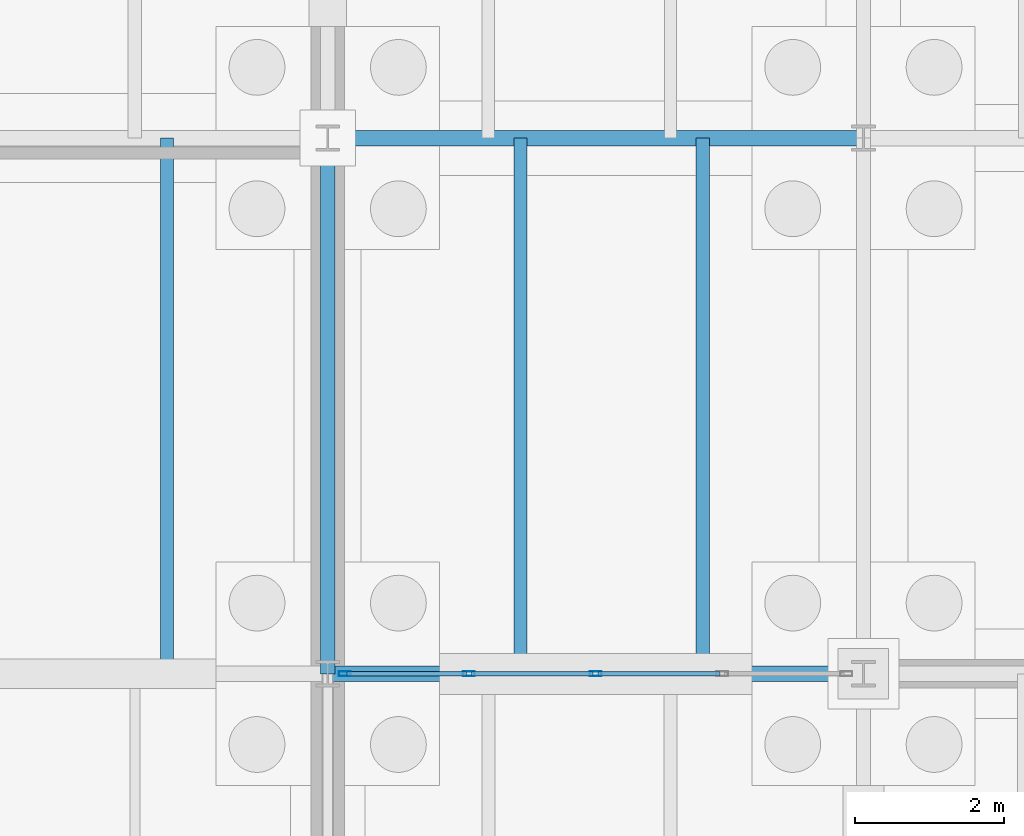
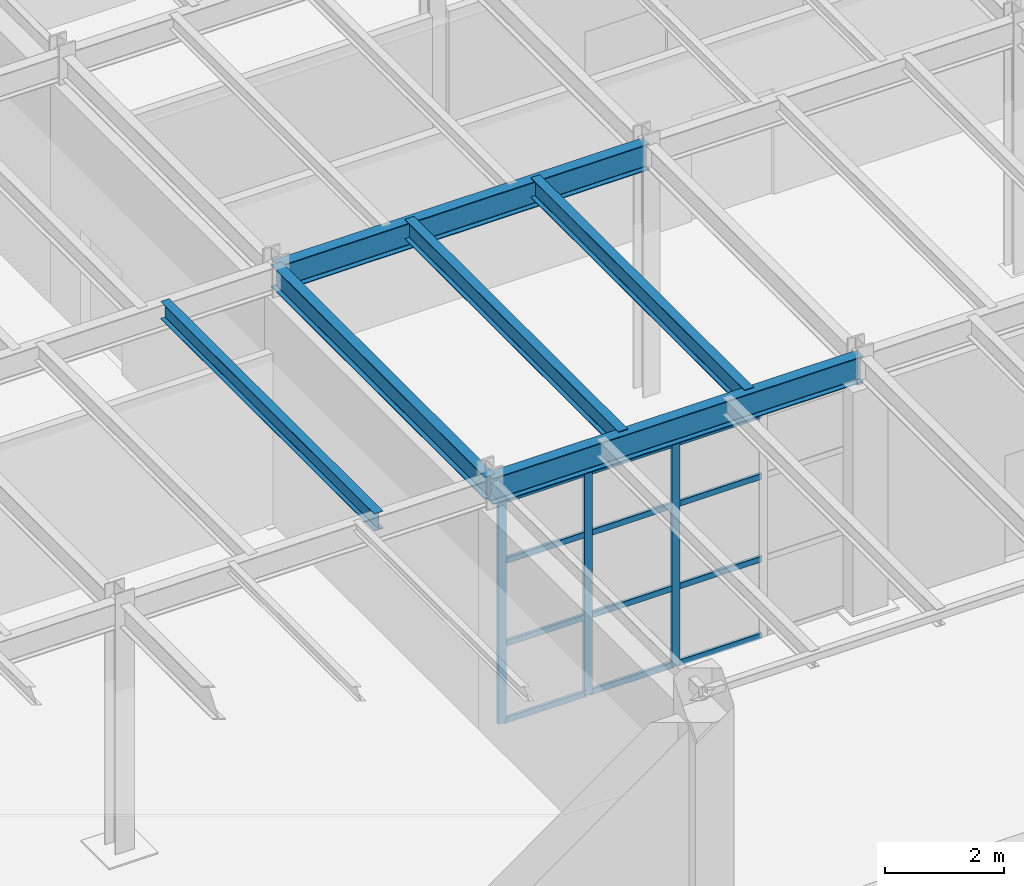
# One storey, part 55 of 293: 15 members, 6 beams, 1 element without a shape of its own.
"""IFC4 building model written with IfcOpenShell, lengths in metres."""

import ifcopenshell
import ifcopenshell.guid

model = None  # the IFC model being written
_history = None  # IfcOwnerHistory: only IFC2X3 demands one
_inside = {}  # id of a spatial element -> (the spatial element, [elements in it])
_under = {}  # id of a project, library or spatial element -> (it, [spatial elements below it])
_declared = {}  # id of a project -> (the project, [libraries it declares])
_typed = {}  # id of a type object -> (the type object, [elements of that type])
_made_of = {}  # id of a material, layer set ... -> (it, [elements and type objects made of it])


def new_model(schema):
    """Start an empty IFC model of exactly this schema.

    Asked for "IFC4X3", IfcOpenShell would pick the latest addendum, in which some entities
    have other attributes; the version numbers below select the first issue.
    IFC2X3 requires an IfcOwnerHistory on every rooted entity: one is made here for all.
    """
    global model, _history
    if schema == "IFC4X3":
        model = ifcopenshell.file(schema_version=(4, 3, 0, 0))
    else:
        model = ifcopenshell.file(schema=schema)
    _inside.clear()
    _under.clear()
    _declared.clear()
    _typed.clear()
    _made_of.clear()
    _history = None
    if model.schema == "IFC2X3":
        org = make("IfcOrganization", Name="unknown")
        user = make(
            "IfcPersonAndOrganization",
            ThePerson=make("IfcPerson", FamilyName="unknown"),
            TheOrganization=org,
        )
        app = make(
            "IfcApplication",
            ApplicationDeveloper=org,
            Version="unknown",
            ApplicationFullName="unknown",
            ApplicationIdentifier="unknown",
        )
        _history = make(
            "IfcOwnerHistory",
            OwningUser=user,
            OwningApplication=app,
            ChangeAction="ADDED",
            CreationDate=0,
        )
    return model


def make(cls, **values):
    """One entity of the class cls with the attributes given. An attribute that is None is left unset."""
    return model.create_entity(
        cls, **{name: value for name, value in values.items() if value is not None}
    )


def rooted(cls, **values):
    """An entity with a GlobalId (a new one), such as an element, a storey or a relation."""
    return make(cls, GlobalId=ifcopenshell.guid.new(), OwnerHistory=_history, **values)


def si_unit(unit_type, name, prefix=None):
    """IfcSIUnit, for example si_unit("LENGTHUNIT", "METRE", prefix="MILLI")."""
    return make("IfcSIUnit", UnitType=unit_type, Prefix=prefix, Name=name)


def assignment(units):
    """IfcUnitAssignment: the units of a project."""
    return None if units is None else make("IfcUnitAssignment", Units=units)


def point(xyz):
    """IfcCartesianPoint."""
    return None if xyz is None else make("IfcCartesianPoint", Coordinates=xyz)


def direction(xyz):
    """IfcDirection."""
    return None if xyz is None else make("IfcDirection", DirectionRatios=xyz)


def frame(location, z_axis=None, x_axis=None):
    """IfcAxis2Placement3D, a coordinate frame: its origin and axes. An axis left out is left unset."""
    return make(
        "IfcAxis2Placement3D",
        Location=point(location),
        Axis=direction(z_axis),
        RefDirection=direction(x_axis),
    )


def frame_2d(location, x_axis=None):
    """IfcAxis2Placement2D, a coordinate frame in the plane: its origin and x axis."""
    return make(
        "IfcAxis2Placement2D", Location=point(location), RefDirection=direction(x_axis)
    )


def origin():
    """The frame at (0, 0, 0) with its axes left unset."""
    return frame((0.0, 0.0, 0.0))


def origin_2d():
    """The frame at (0, 0) in the plane with its x axis left unset."""
    return frame_2d((0.0, 0.0))


def place(relative_to, where):
    """IfcLocalPlacement: puts the frame where relative to a parent placement (None: the world)."""
    return make(
        "IfcLocalPlacement", PlacementRelTo=relative_to, RelativePlacement=where
    )


def context(
    kind, dimensions, precision=None, world=None, true_north=None, identifier=None
):
    """IfcGeometricRepresentationContext, for example the 3D "Model" context."""
    return make(
        "IfcGeometricRepresentationContext",
        ContextIdentifier=identifier,
        ContextType=kind,
        CoordinateSpaceDimension=dimensions,
        Precision=precision,
        WorldCoordinateSystem=world,
        TrueNorth=true_north,
    )


def subcontext(parent, identifier, kind, view, scale=None):
    """IfcGeometricRepresentationSubContext, for example "Body" below "Model"."""
    return make(
        "IfcGeometricRepresentationSubContext",
        ContextIdentifier=identifier,
        ContextType=kind,
        ParentContext=parent,
        TargetScale=scale,
        TargetView=view,
    )


def project(units=None, contexts=None):
    """IfcProject with its units and contexts."""
    return rooted(
        "IfcProject",
        Name="project",
        RepresentationContexts=contexts,
        UnitsInContext=assignment(units),
    )


def spatial(cls, under=None, at=None, **own):
    """A site, building, storey or space (cls), placed at a placement, below another one or the project."""
    s = rooted(cls, ObjectPlacement=at, **own)
    if under is not None:
        _under.setdefault(under.id(), (under, []))[1].append(s)
    return s


def profile(cls, at=None, kind="AREA", **sizes):
    """A parametric profile (cls). Its sizes go by their IFC names, for example OverallWidth=200.0."""
    return make(cls, ProfileType=kind, Position=at, **sizes)


def hollow_rectangle(**sizes):
    """IfcRectangleHollowProfileDef."""
    return profile("IfcRectangleHollowProfileDef", **sizes)


def i_section(**sizes):
    """IfcIShapeProfileDef."""
    return profile("IfcIShapeProfileDef", **sizes)


def extrude(swept, where, along, depth):
    """IfcExtrudedAreaSolid: the profile swept, set in the frame where, extruded along a direction by depth."""
    return make(
        "IfcExtrudedAreaSolid",
        SweptArea=swept,
        Position=where,
        ExtrudedDirection=direction(along),
        Depth=depth,
    )


def shape(context_of_items, identifier, shape_type, items):
    """IfcShapeRepresentation: the items that make up one representation, for example the "Body"."""
    return make(
        "IfcShapeRepresentation",
        ContextOfItems=context_of_items,
        RepresentationIdentifier=identifier,
        RepresentationType=shape_type,
        Items=items,
    )


def material(Name=None, Category=None):
    """IfcMaterial."""
    return make("IfcMaterial", Name=Name, Category=Category)


def layer(
    of_material, thickness, ventilated=None, Name=None, Category=None, Priority=None
):
    """IfcMaterialLayer: one layer of a wall or slab, of a material (None: an air gap)."""
    return make(
        "IfcMaterialLayer",
        Material=of_material,
        LayerThickness=thickness,
        IsVentilated=ventilated,
        Name=Name,
        Category=Category,
        Priority=Priority,
    )


def layer_set(layers, Name=None):
    """IfcMaterialLayerSet."""
    return make("IfcMaterialLayerSet", MaterialLayers=layers, LayerSetName=Name)


def material_profile(
    of_material, cross_section, Name=None, Category=None, Priority=None
):
    """IfcMaterialProfile: a cross section and its material."""
    return make(
        "IfcMaterialProfile",
        Name=Name,
        Material=of_material,
        Profile=cross_section,
        Priority=Priority,
        Category=Category,
    )


def profile_set(profiles, Name=None, composite=None):
    """IfcMaterialProfileSet."""
    return make(
        "IfcMaterialProfileSet",
        Name=Name,
        MaterialProfiles=profiles,
        CompositeProfile=composite,
    )


def made_of(thing, what):
    """Note that an element or type object is made of a material, layer set ...; save() writes the relation."""
    if what is not None:
        _made_of.setdefault(what.id(), (what, []))[1].append(thing)
    return thing


def type_object(cls, material=None, **own):
    """A type object (cls), such as IfcWallType, which elements share."""
    return made_of(rooted(cls, **own), material)


def element(
    cls,
    number,
    at=None,
    inside=None,
    cuts=None,
    type_object=None,
    material=None,
    context=None,
    identifier="Body",
    shape_type=None,
    held_by="IfcProductDefinitionShape",
    body=None,
    shapes=None,
    **own,
):
    """One element of the class cls, such as IfcWall. Its Tag is "e" and its number.

    at: its placement. inside: the storey or other place that contains it. cuts: it is an
    opening in that element (IfcRelVoidsElement). A single representation is given by context,
    identifier, shape_type and body (its items); several are given by shapes. held_by: the class
    of the entity that holds the representations. save() writes the other relations.
    """
    e = rooted(cls, Tag="e%d" % number, ObjectPlacement=at, **own)
    if body is not None:
        shapes = [shape(context, identifier, shape_type, body)]
    if shapes is not None:
        e.Representation = make(held_by, Representations=shapes)
    if inside is not None:
        _inside.setdefault(inside.id(), (inside, []))[1].append(e)
    if cuts is not None:
        rooted(
            "IfcRelVoidsElement", RelatingBuildingElement=cuts, RelatedOpeningElement=e
        )
    if type_object is not None:
        _typed.setdefault(type_object.id(), (type_object, []))[1].append(e)
    return made_of(e, material)


def aggregate(whole, parts):
    """IfcRelAggregates: a whole, such as a stair, and the parts it consists of."""
    return rooted("IfcRelAggregates", RelatingObject=whole, RelatedObjects=parts)


def save(model, path):
    """Write the relations noted so far, then the file.

    IfcRelAggregates (storeys below a building ...), IfcRelContainedInSpatialStructure (elements
    in a storey), IfcRelDefinesByType, IfcRelAssociatesMaterial and IfcRelDeclares: one each for
    every whole, place, type object, material and project.
    """
    for whole, parts in _under.values():
        aggregate(whole, parts)
    for where, things in _inside.values():
        rooted(
            "IfcRelContainedInSpatialStructure",
            RelatedElements=things,
            RelatingStructure=where,
        )
    for kind, things in _typed.values():
        rooted("IfcRelDefinesByType", RelatedObjects=things, RelatingType=kind)
    for what, things in _made_of.values():
        rooted("IfcRelAssociatesMaterial", RelatedObjects=things, RelatingMaterial=what)
    for by, libraries in _declared.values():
        rooted("IfcRelDeclares", RelatingContext=by, RelatedDefinitions=libraries)
    model.write(path)


model = new_model("IFC4")

# Units and contexts
model_context = context("Model", 3, precision=1e-05, world=origin(), true_north=direction((0.0, 1.0)))
body_context = subcontext(model_context, "Body", "Model", "MODEL_VIEW")
ifc_project = project(units=[si_unit("LENGTHUNIT", "METRE"), si_unit("AREAUNIT", "SQUARE_METRE"), si_unit("VOLUMEUNIT", "CUBIC_METRE"), si_unit("PLANEANGLEUNIT", "RADIAN"), si_unit("MASSUNIT", "GRAM", prefix="KILO")], contexts=[model_context])

# Site, building, storey
site_placement = place(None, origin())
site = spatial("IfcSite", under=ifc_project, at=site_placement, CompositionType="ELEMENT")
building_placement = place(site_placement, origin())
building = spatial("IfcBuilding", under=site, at=building_placement, Name="Kemerveld Promenade Tramway Depot", CompositionType="ELEMENT")
storey_placement = place(building_placement, origin())
storey = spatial("IfcBuildingStorey", under=building, at=storey_placement, Name="L00", CompositionType="ELEMENT", Elevation=0.0)

# Beams
ifc_material_1 = material(Name="Steel S355", Category="steel")
ifc_material_profile_1 = material_profile(ifc_material_1, i_section(OverallWidth=0.2099609375, OverallDepth=0.53662109375, WebThickness=0.0107421875, FlangeThickness=0.017333984375, FilletRadius=0.0126953125, at=origin_2d()), Name="533x210x101 UB")
ifc_profile_set_1 = profile_set([ifc_material_profile_1], Name="Steel S355")
beam_type_1 = type_object("IfcBeamType", Name="BM-G05", PredefinedType="BEAM", material=ifc_profile_set_1)
for number, where, z_axis, x_axis, name in (
    (1, (57.60009765625, 7.199951171875, 4.881591796875), (1.0, 0.0, 0.0), (0.0, 1.0, 0.0), "BMX-L00-09-10-B"),
    (2, (57.60009765625, 14.39990234375, 4.881591796875), (1.0, 0.0, 0.0), (0.0, 1.0, 0.0), "BMX-L00-09-10-C"),
):
    element("IfcBeam", number, at=place(storey_placement, frame(where, z_axis=z_axis, x_axis=x_axis)), inside=storey, type_object=beam_type_1, Name=name, PredefinedType="BEAM", context=body_context, shape_type="SweptSolid", body=[
        extrude(i_section(OverallWidth=0.2099609375, OverallDepth=0.53662109375, WebThickness=0.0107421875, FlangeThickness=0.017333984375, FilletRadius=0.0126953125, at=origin_2d()), origin(), (0.0, 0.0, 1.0), 7.199951171875),
    ])
ifc_material_profile_2 = material_profile(ifc_material_1, i_section(OverallWidth=0.19140625, OverallDepth=0.4599609375, WebThickness=0.010009765625, FlangeThickness=0.01611328125, FilletRadius=0.01025390625, at=origin_2d()), Name="457x191x82 UB")
ifc_profile_set_2 = profile_set([ifc_material_profile_2], Name="Steel S355")
beam_type_2 = type_object("IfcBeamType", Name="BM-G06", PredefinedType="BEAM", material=ifc_profile_set_2)
beam_1_placement = place(storey_placement, frame((57.60009765625, 7.199951171875, 4.919921875), z_axis=(0.0, 1.0, 0.0), x_axis=(-1.0, 0.0, 0.0)))
element("IfcBeam", 3, at=beam_1_placement, inside=storey, type_object=beam_type_2, Name="BMY-L00-09-B-C", PredefinedType="BEAM", context=body_context, shape_type="SweptSolid", body=[
    extrude(i_section(OverallWidth=0.19140625, OverallDepth=0.4599609375, WebThickness=0.010009765625, FlangeThickness=0.01611328125, FilletRadius=0.01025390625, at=origin_2d()), origin(), (0.0, 0.0, 1.0), 7.199951171875),
])
ifc_material_profile_3 = material_profile(ifc_material_1, i_section(OverallWidth=0.172119140625, OverallDepth=0.35791015625, WebThickness=0.008056640625, FlangeThickness=0.012939453125, FilletRadius=0.01025390625, at=origin_2d()), Name="356x171x57 UB")
ifc_profile_set_3 = profile_set([ifc_material_profile_3], Name="Steel S355")
beam_type_3 = type_object("IfcBeamType", Name="BM-J04", PredefinedType="JOIST", material=ifc_profile_set_3)
beam_2_placement = place(storey_placement, frame((55.43994140625, 7.199951171875, 4.970947265625), z_axis=(0.0, 1.0, 0.0), x_axis=(-1.0, 0.0, 0.0)))
element("IfcBeam", 4, at=beam_2_placement, inside=storey, type_object=beam_type_3, Name="JST-L00-08-B-2", PredefinedType="JOIST", context=body_context, shape_type="SweptSolid", body=[
    extrude(i_section(OverallWidth=0.172119140625, OverallDepth=0.35791015625, WebThickness=0.008056640625, FlangeThickness=0.012939453125, FilletRadius=0.01025390625, at=origin_2d()), origin(), (0.0, 0.0, 1.0), 7.199951171875),
])
ifc_material_profile_4 = material_profile(ifc_material_1, i_section(OverallWidth=0.1787109375, OverallDepth=0.409423828125, WebThickness=0.0087890625, FlangeThickness=0.014404296875, FilletRadius=0.01025390625, at=origin_2d()), Name="406x178x67 UB")
ifc_profile_set_4 = profile_set([ifc_material_profile_4], Name="Steel S355")
beam_type_4 = type_object("IfcBeamType", Name="BM-J05", PredefinedType="JOIST", material=ifc_profile_set_4)
for number, where, z_axis, x_axis, name in (
    (5, (60.19189453125, 7.199951171875, 4.97021484375), (0.0, 1.0, 0.0), (-1.0, 0.0, 0.0), "JST-L00-09-B-1"),
    (6, (62.639892578125, 7.199951171875, 4.97021484375), (0.0, 1.0, 0.0), (-1.0, 0.0, 0.0), "JST-L00-09-B-2"),
):
    element("IfcBeam", number, at=place(storey_placement, frame(where, z_axis=z_axis, x_axis=x_axis)), inside=storey, type_object=beam_type_4, Name=name, PredefinedType="JOIST", context=body_context, shape_type="SweptSolid", body=[
        extrude(i_section(OverallWidth=0.1787109375, OverallDepth=0.409423828125, WebThickness=0.0087890625, FlangeThickness=0.014404296875, FilletRadius=0.01025390625, at=origin_2d()), origin(), (0.0, 0.0, 1.0), 7.199951171875),
    ])

# Curtain wall, members
ifc_material_2 = material(Name="Bronze anodised aluminium and solar glass", Category="aluminium")
ifc_layer = layer(ifc_material_2, 0.159912109375)
ifc_layer_set = layer_set([ifc_layer], Name="CW-SYS-03")
curtain_wall_type = type_object("IfcCurtainWallType", Name="CW-SYS-03", PredefinedType="USERDEFINED", material=ifc_layer_set)
curtain_wall_placement = place(storey_placement, origin())
curtain_wall = element("IfcCurtainWall", 7, at=curtain_wall_placement, inside=storey, type_object=curtain_wall_type, Name="CW-L00-V4S-14", ObjectType="GLAZED_CURTAIN_WALL", PredefinedType="USERDEFINED")
ifc_material_3 = material(Name="Bronze anodised aluminium", Category="aluminium")
ifc_material_profile_5 = material_profile(ifc_material_3, hollow_rectangle(XDim=0.06494140625, YDim=0.159912109375, WallThickness=0.00390625, InnerFilletRadius=0.001953125, OuterFilletRadius=0.00390625, at=origin_2d()), Name="CW-MUL-160x65")
ifc_profile_set_5 = profile_set([ifc_material_profile_5], Name="Bronze anodised aluminium")
member_type_1 = type_object("IfcMemberType", Name="CW-MUL-A", PredefinedType="MULLION", material=ifc_profile_set_5)
member_1_placement = place(storey_placement, frame((61.199951171875, 7.199951171875, 0.0), z_axis=(0.0, 0.0, 1.0), x_axis=(0.0, -1.0, 0.0)))
member_1 = element("IfcMember", 8, at=member_1_placement, type_object=member_type_1, Name="CW03 mullion 3", PredefinedType="MULLION", context=body_context, shape_type="SweptSolid", body=[
    extrude(hollow_rectangle(XDim=0.06494140625, YDim=0.159912109375, WallThickness=0.00390625, InnerFilletRadius=0.001953125, OuterFilletRadius=0.00390625, at=origin_2d()), origin(), (0.0, 0.0, 1.0), 4.593505859375),
])
member_2_placement = place(storey_placement, frame((59.498046875, 7.199951171875, 0.0), z_axis=(0.0, 0.0, 1.0), x_axis=(0.0, -1.0, 0.0)))
member_2 = element("IfcMember", 9, at=member_2_placement, type_object=member_type_1, Name="CW03 mullion 4", PredefinedType="MULLION", context=body_context, shape_type="SweptSolid", body=[
    extrude(hollow_rectangle(XDim=0.06494140625, YDim=0.159912109375, WallThickness=0.00390625, InnerFilletRadius=0.001953125, OuterFilletRadius=0.00390625, at=origin_2d()), origin(), (0.0, 0.0, 1.0), 4.593505859375),
])
member_3_placement = place(storey_placement, frame((57.828857421875, 7.199951171875, 0.0), z_axis=(0.0, 0.0, 1.0), x_axis=(0.0, -1.0, 0.0)))
member_3 = element("IfcMember", 10, at=member_3_placement, type_object=member_type_1, Name="CW03 mullion 5", PredefinedType="MULLION", context=body_context, shape_type="SweptSolid", body=[
    extrude(hollow_rectangle(XDim=0.06494140625, YDim=0.159912109375, WallThickness=0.00390625, InnerFilletRadius=0.001953125, OuterFilletRadius=0.00390625, at=origin_2d()), origin(), (0.0, 0.0, 1.0), 4.593505859375),
])
ifc_material_profile_6 = material_profile(ifc_material_3, hollow_rectangle(XDim=0.06005859375, YDim=0.1201171875, WallThickness=0.00390625, InnerFilletRadius=0.001953125, OuterFilletRadius=0.00390625, at=origin_2d()), Name="CW-TRN-120x60")
ifc_profile_set_6 = profile_set([ifc_material_profile_6], Name="Bronze anodised aluminium")
member_type_2 = type_object("IfcMemberType", Name="CW-TRN-A", PredefinedType="USERDEFINED", material=ifc_profile_set_6)
member_4_placement = place(storey_placement, frame((62.869384765625, 7.199951171875, 0.030029296875), z_axis=(-1.0, 0.0, 0.0), x_axis=(0.0, -1.0, 0.0)))
member_4 = element("IfcMember", 11, at=member_4_placement, type_object=member_type_2, Name="CW03 transom 2.1", ObjectType="TRANSOM", PredefinedType="USERDEFINED", context=body_context, shape_type="SweptSolid", body=[
    extrude(hollow_rectangle(XDim=0.06005859375, YDim=0.1201171875, WallThickness=0.00390625, InnerFilletRadius=0.001953125, OuterFilletRadius=0.00390625, at=origin_2d()), origin(), (0.0, 0.0, 1.0), 1.636962890625),
])
member_5_placement = place(storey_placement, frame((62.869384765625, 7.199951171875, 1.60791015625), z_axis=(-1.0, 0.0, 0.0), x_axis=(0.0, -1.0, 0.0)))
member_5 = element("IfcMember", 12, at=member_5_placement, type_object=member_type_2, Name="CW03 transom 2.2", ObjectType="TRANSOM", PredefinedType="USERDEFINED", context=body_context, shape_type="SweptSolid", body=[
    extrude(hollow_rectangle(XDim=0.06005859375, YDim=0.1201171875, WallThickness=0.00390625, InnerFilletRadius=0.001953125, OuterFilletRadius=0.00390625, at=origin_2d()), origin(), (0.0, 0.0, 1.0), 1.636962890625),
])
member_6_placement = place(storey_placement, frame((62.869384765625, 7.199951171875, 3.306884765625), z_axis=(-1.0, 0.0, 0.0), x_axis=(0.0, -1.0, 0.0)))
member_6 = element("IfcMember", 13, at=member_6_placement, type_object=member_type_2, Name="CW03 transom 2.3", ObjectType="TRANSOM", PredefinedType="USERDEFINED", context=body_context, shape_type="SweptSolid", body=[
    extrude(hollow_rectangle(XDim=0.06005859375, YDim=0.1201171875, WallThickness=0.00390625, InnerFilletRadius=0.001953125, OuterFilletRadius=0.00390625, at=origin_2d()), origin(), (0.0, 0.0, 1.0), 1.636962890625),
])
member_7_placement = place(storey_placement, frame((62.869384765625, 7.199951171875, 4.5634765625), z_axis=(-1.0, 0.0, 0.0), x_axis=(0.0, -1.0, 0.0)))
member_7 = element("IfcMember", 14, at=member_7_placement, type_object=member_type_2, Name="CW03 transom 2.4", ObjectType="TRANSOM", PredefinedType="USERDEFINED", context=body_context, shape_type="SweptSolid", body=[
    extrude(hollow_rectangle(XDim=0.06005859375, YDim=0.1201171875, WallThickness=0.00390625, InnerFilletRadius=0.001953125, OuterFilletRadius=0.00390625, at=origin_2d()), origin(), (0.0, 0.0, 1.0), 1.636962890625),
])
member_8_placement = place(storey_placement, frame((61.16748046875, 7.199951171875, 0.030029296875), z_axis=(-1.0, 0.0, 0.0), x_axis=(0.0, -1.0, 0.0)))
member_8 = element("IfcMember", 15, at=member_8_placement, type_object=member_type_2, Name="CW03 transom 3.1", ObjectType="TRANSOM", PredefinedType="USERDEFINED", context=body_context, shape_type="SweptSolid", body=[
    extrude(hollow_rectangle(XDim=0.06005859375, YDim=0.1201171875, WallThickness=0.00390625, InnerFilletRadius=0.001953125, OuterFilletRadius=0.00390625, at=origin_2d()), origin(), (0.0, 0.0, 1.0), 1.63671875),
])
member_9_placement = place(storey_placement, frame((61.16748046875, 7.199951171875, 1.60791015625), z_axis=(-1.0, 0.0, 0.0), x_axis=(0.0, -1.0, 0.0)))
member_9 = element("IfcMember", 16, at=member_9_placement, type_object=member_type_2, Name="CW03 transom 3.2", ObjectType="TRANSOM", PredefinedType="USERDEFINED", context=body_context, shape_type="SweptSolid", body=[
    extrude(hollow_rectangle(XDim=0.06005859375, YDim=0.1201171875, WallThickness=0.00390625, InnerFilletRadius=0.001953125, OuterFilletRadius=0.00390625, at=origin_2d()), origin(), (0.0, 0.0, 1.0), 1.63671875),
])
member_10_placement = place(storey_placement, frame((61.16748046875, 7.199951171875, 3.306884765625), z_axis=(-1.0, 0.0, 0.0), x_axis=(0.0, -1.0, 0.0)))
member_10 = element("IfcMember", 17, at=member_10_placement, type_object=member_type_2, Name="CW03 transom 3.3", ObjectType="TRANSOM", PredefinedType="USERDEFINED", context=body_context, shape_type="SweptSolid", body=[
    extrude(hollow_rectangle(XDim=0.06005859375, YDim=0.1201171875, WallThickness=0.00390625, InnerFilletRadius=0.001953125, OuterFilletRadius=0.00390625, at=origin_2d()), origin(), (0.0, 0.0, 1.0), 1.63671875),
])
member_11_placement = place(storey_placement, frame((61.16748046875, 7.199951171875, 4.5634765625), z_axis=(-1.0, 0.0, 0.0), x_axis=(0.0, -1.0, 0.0)))
member_11 = element("IfcMember", 18, at=member_11_placement, type_object=member_type_2, Name="CW03 transom 3.4", ObjectType="TRANSOM", PredefinedType="USERDEFINED", context=body_context, shape_type="SweptSolid", body=[
    extrude(hollow_rectangle(XDim=0.06005859375, YDim=0.1201171875, WallThickness=0.00390625, InnerFilletRadius=0.001953125, OuterFilletRadius=0.00390625, at=origin_2d()), origin(), (0.0, 0.0, 1.0), 1.63671875),
])
member_12_placement = place(storey_placement, frame((59.465576171875, 7.199951171875, 0.030029296875), z_axis=(-1.0, 0.0, 0.0), x_axis=(0.0, -1.0, 0.0)))
member_12 = element("IfcMember", 19, at=member_12_placement, type_object=member_type_2, Name="CW03 transom 4.1", ObjectType="TRANSOM", PredefinedType="USERDEFINED", context=body_context, shape_type="SweptSolid", body=[
    extrude(hollow_rectangle(XDim=0.06005859375, YDim=0.1201171875, WallThickness=0.00390625, InnerFilletRadius=0.001953125, OuterFilletRadius=0.00390625, at=origin_2d()), origin(), (0.0, 0.0, 1.0), 1.604248046875),
])
member_13_placement = place(storey_placement, frame((59.465576171875, 7.199951171875, 1.60791015625), z_axis=(-1.0, 0.0, 0.0), x_axis=(0.0, -1.0, 0.0)))
member_13 = element("IfcMember", 20, at=member_13_placement, type_object=member_type_2, Name="CW03 transom 4.2", ObjectType="TRANSOM", PredefinedType="USERDEFINED", context=body_context, shape_type="SweptSolid", body=[
    extrude(hollow_rectangle(XDim=0.06005859375, YDim=0.1201171875, WallThickness=0.00390625, InnerFilletRadius=0.001953125, OuterFilletRadius=0.00390625, at=origin_2d()), origin(), (0.0, 0.0, 1.0), 1.604248046875),
])
member_14_placement = place(storey_placement, frame((59.465576171875, 7.199951171875, 3.306884765625), z_axis=(-1.0, 0.0, 0.0), x_axis=(0.0, -1.0, 0.0)))
member_14 = element("IfcMember", 21, at=member_14_placement, type_object=member_type_2, Name="CW03 transom 4.3", ObjectType="TRANSOM", PredefinedType="USERDEFINED", context=body_context, shape_type="SweptSolid", body=[
    extrude(hollow_rectangle(XDim=0.06005859375, YDim=0.1201171875, WallThickness=0.00390625, InnerFilletRadius=0.001953125, OuterFilletRadius=0.00390625, at=origin_2d()), origin(), (0.0, 0.0, 1.0), 1.604248046875),
])
member_15_placement = place(storey_placement, frame((59.465576171875, 7.199951171875, 4.5634765625), z_axis=(-1.0, 0.0, 0.0), x_axis=(0.0, -1.0, 0.0)))
member_15 = element("IfcMember", 22, at=member_15_placement, type_object=member_type_2, Name="CW03 transom 4.4", ObjectType="TRANSOM", PredefinedType="USERDEFINED", context=body_context, shape_type="SweptSolid", body=[
    extrude(hollow_rectangle(XDim=0.06005859375, YDim=0.1201171875, WallThickness=0.00390625, InnerFilletRadius=0.001953125, OuterFilletRadius=0.00390625, at=origin_2d()), origin(), (0.0, 0.0, 1.0), 1.604248046875),
])
aggregate(curtain_wall, [member_1, member_2, member_3, member_4, member_5, member_6, member_7, member_8, member_9, member_10, member_11, member_12, member_13, member_14, member_15])

save(model, "model.ifc")
